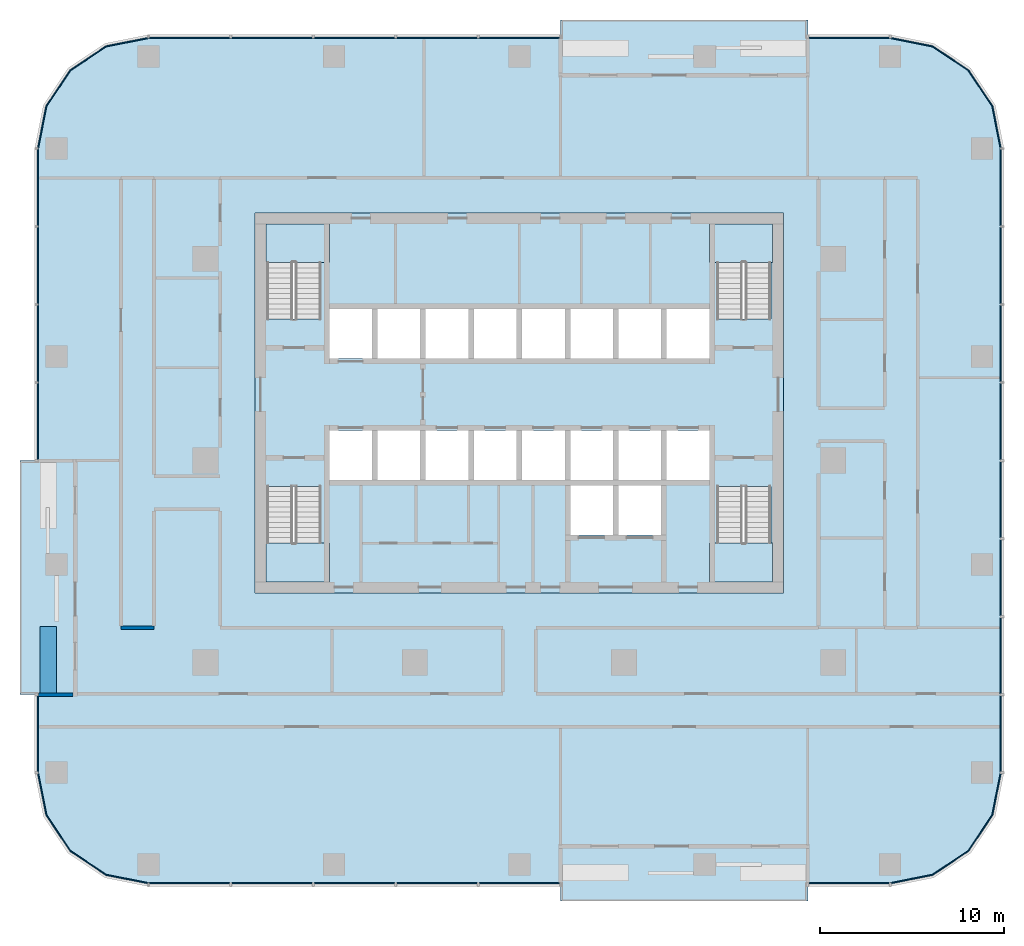
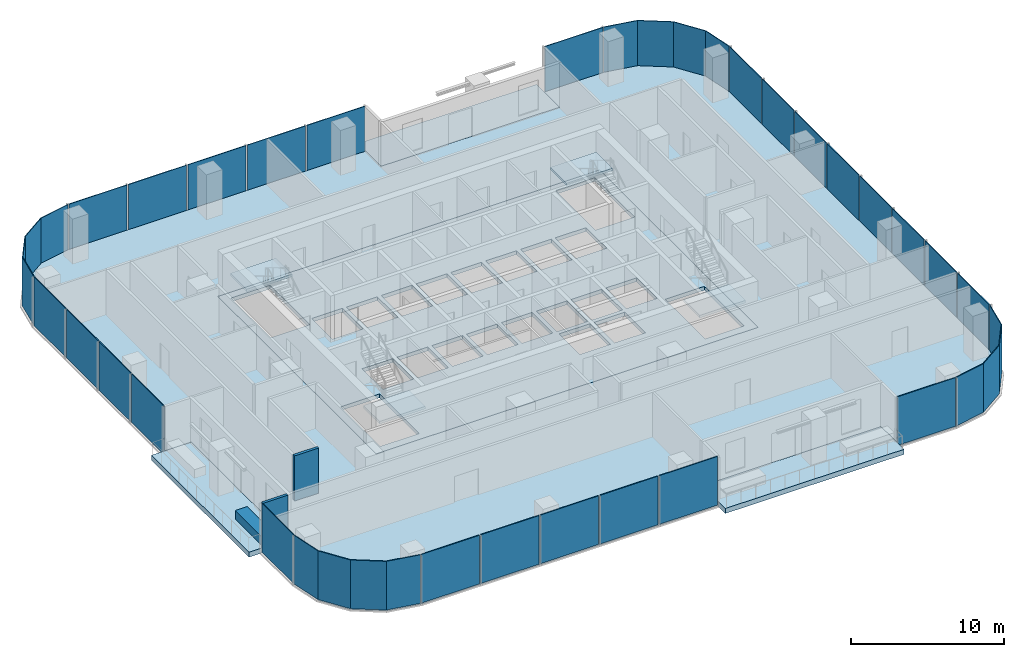
# One storey, part 6 of 14: 29 plates, 9 slabs, 3 walls, 15 elements without a shape of their own.
"""IFC4 building model written with IfcOpenShell, lengths in metres."""

from ifc_helpers import new_model, si_unit, direction, frame, frame_2d, origin, origin_2d, place, context, subcontext, project, spatial, polyline, rectangle, outline, extrude, material, layer, layer_set, type_object, element, aggregate, save


model = new_model("IFC4")

# Units and contexts
model_context = context("Model", 3, precision=1e-05, world=origin(), true_north=direction((0.0, 1.0)))
body_context = subcontext(model_context, "Body", "Model", "MODEL_VIEW")
ifc_project = project(units=[si_unit("LENGTHUNIT", "METRE"), si_unit("AREAUNIT", "SQUARE_METRE"), si_unit("VOLUMEUNIT", "CUBIC_METRE"), si_unit("PLANEANGLEUNIT", "RADIAN"), si_unit("MASSUNIT", "GRAM", prefix="KILO")], contexts=[model_context])

# Site, building, storey
site_placement = place(None, origin())
site = spatial("IfcSite", under=ifc_project, at=site_placement, CompositionType="ELEMENT")
building_placement = place(site_placement, origin())
building = spatial("IfcBuilding", under=site, at=building_placement, Name="Mopane Tessera Tower", CompositionType="ELEMENT")
storey_placement = place(building_placement, frame((0.0, 0.0, 189.0)))
storey = spatial("IfcBuildingStorey", under=building, at=storey_placement, Name="L39", CompositionType="ELEMENT", Elevation=189.0)

# Slab
ifc_material_1 = material(Name="Concrete C40/50", Category="concrete")
ifc_layer_1 = layer(ifc_material_1, 0.300048828125)
ifc_layer_set_1 = layer_set([ifc_layer_1], Name="Concrete C40/50")
slab_type_1 = type_object("IfcSlabType", Name="Core floor slab 300 mm", PredefinedType="FLOOR", material=ifc_layer_set_1)
slab_1_placement = place(storey_placement, frame((0.0, 0.0, -0.300048828125)))
element("IfcSlab", 1, at=slab_1_placement, inside=storey, type_object=slab_type_1, Name="L39 core floor slab", PredefinedType="FLOOR", context=body_context, shape_type="SweptSolid", body=[
    extrude(outline(polyline([(-14.39990234375, -7.199951171875), (14.39990234375, -7.199951171875), (14.39990234375, 13.5), (-14.39990234375, 13.5), (-14.39990234375, -7.199951171875)]), holes=[polyline([(-10.35009765625, -1.050048828125), (-8.02490234375, -1.050048828125), (-8.02490234375, 1.64990234375), (-10.35009765625, 1.64990234375), (-10.35009765625, -1.050048828125)]), polyline([(-7.72509765625, -1.050048828125), (-5.39990234375, -1.050048828125), (-5.39990234375, 1.64990234375), (-7.72509765625, 1.64990234375), (-7.72509765625, -1.050048828125)]), polyline([(-5.10009765625, -1.050048828125), (-2.77490234375, -1.050048828125), (-2.77490234375, 1.64990234375), (-5.10009765625, 1.64990234375), (-5.10009765625, -1.050048828125)]), polyline([(-2.47509765625, -1.050048828125), (-0.14990234375, -1.050048828125), (-0.14990234375, 1.64990234375), (-2.47509765625, 1.64990234375), (-2.47509765625, -1.050048828125)]), polyline([(0.14990234375, -1.050048828125), (2.47509765625, -1.050048828125), (2.47509765625, 1.64990234375), (0.14990234375, 1.64990234375), (0.14990234375, -1.050048828125)]), polyline([(2.77490234375, -1.050048828125), (5.10009765625, -1.050048828125), (5.10009765625, 1.64990234375), (2.77490234375, 1.64990234375), (2.77490234375, -1.050048828125)]), polyline([(5.39990234375, -1.050048828125), (7.72509765625, -1.050048828125), (7.72509765625, 1.64990234375), (5.39990234375, 1.64990234375), (5.39990234375, -1.050048828125)]), polyline([(8.02490234375, -1.050048828125), (10.35009765625, -1.050048828125), (10.35009765625, 1.64990234375), (8.02490234375, 1.64990234375), (8.02490234375, -1.050048828125)]), polyline([(-10.35009765625, 5.550048828125), (-8.02490234375, 5.550048828125), (-8.02490234375, 8.25), (-10.35009765625, 8.25), (-10.35009765625, 5.550048828125)]), polyline([(-7.72509765625, 5.550048828125), (-5.39990234375, 5.550048828125), (-5.39990234375, 8.25), (-7.72509765625, 8.25), (-7.72509765625, 5.550048828125)]), polyline([(-5.10009765625, 5.550048828125), (-2.77490234375, 5.550048828125), (-2.77490234375, 8.25), (-5.10009765625, 8.25), (-5.10009765625, 5.550048828125)]), polyline([(-2.47509765625, 5.550048828125), (-0.14990234375, 5.550048828125), (-0.14990234375, 8.25), (-2.47509765625, 8.25), (-2.47509765625, 5.550048828125)]), polyline([(0.14990234375, 5.550048828125), (2.47509765625, 5.550048828125), (2.47509765625, 8.25), (0.14990234375, 8.25), (0.14990234375, 5.550048828125)]), polyline([(2.77490234375, 5.550048828125), (5.10009765625, 5.550048828125), (5.10009765625, 8.25), (2.77490234375, 8.25), (2.77490234375, 5.550048828125)]), polyline([(5.39990234375, 5.550048828125), (7.72509765625, 5.550048828125), (7.72509765625, 8.25), (5.39990234375, 8.25), (5.39990234375, 5.550048828125)]), polyline([(8.02490234375, 5.550048828125), (10.35009765625, 5.550048828125), (10.35009765625, 8.25), (8.02490234375, 8.25), (8.02490234375, 5.550048828125)]), polyline([(2.77490234375, -4.050048828125), (5.10009765625, -4.050048828125), (5.10009765625, -1.35009765625), (2.77490234375, -1.35009765625), (2.77490234375, -4.050048828125)]), polyline([(5.39990234375, -4.050048828125), (7.72509765625, -4.050048828125), (7.72509765625, -1.35009765625), (5.39990234375, -1.35009765625), (5.39990234375, -4.050048828125)]), polyline([(-13.75, -1.405029296875), (-13.75, -6.60009765625), (-10.800048828125, -6.60009765625), (-10.800048828125, -1.405029296875), (-13.75, -1.405029296875)]), polyline([(-10.800048828125, 7.705078125), (-10.800048828125, 12.89990234375), (-13.75, 12.89990234375), (-13.75, 7.705078125), (-10.800048828125, 7.705078125)]), polyline([(10.75, -1.405029296875), (10.75, -6.60009765625), (13.699951171875, -6.60009765625), (13.699951171875, -1.405029296875), (10.75, -1.405029296875)]), polyline([(13.699951171875, 7.705078125), (13.699951171875, 12.89990234375), (10.75, 12.89990234375), (10.75, 7.705078125), (13.699951171875, 7.705078125)])]), origin(), (0.0, 0.0, 1.0), 0.300048828125),
])

# Stair, slab
ifc_material_2 = material(Name="Concrete C50/60", Category="concrete")
stair_type = type_object("IfcStairType", Name="Escape stair 1400 mm, riser 167 mm", PredefinedType="HALF_TURN_STAIR", material=ifc_material_2)
stair_1_placement = place(storey_placement, origin())
stair_1 = element("IfcStair", 2, at=stair_1_placement, inside=storey, type_object=stair_type, Name="L39 Escape stair south-west", PredefinedType="HALF_TURN_STAIR")
ifc_material_3 = material(Name="Concrete C50/60", Category="concrete")
ifc_layer_2 = layer(ifc_material_3, 0.199951171875)
ifc_layer_set_2 = layer_set([ifc_layer_2], Name="Concrete C50/60")
slab_type_2 = type_object("IfcSlabType", Name="Escape stair landing 200 mm", PredefinedType="LANDING", material=ifc_layer_set_2)
slab_2_placement = place(storey_placement, frame((0.0, 0.0, 1.800048828125)))
slab_2 = element("IfcSlab", 3, at=slab_2_placement, type_object=slab_type_2, Name="ST1 landing 1", PredefinedType="LANDING", context=body_context, shape_type="SweptSolid", body=[
    extrude(outline(polyline([(-13.800048828125, -4.47998046875), (-13.800048828125, -6.60009765625), (-10.35009765625, -6.60009765625), (-10.35009765625, -4.47998046875), (-13.800048828125, -4.47998046875)])), origin(), (0.0, 0.0, 1.0), 0.199951171875),
])
aggregate(stair_1, [slab_2])

stair_2_placement = place(storey_placement, origin())
stair_2 = element("IfcStair", 4, at=stair_2_placement, inside=storey, type_object=stair_type, Name="L39 Escape stair north-west", PredefinedType="HALF_TURN_STAIR")
slab_3_placement = place(storey_placement, frame((0.0, 0.0, 1.800048828125)))
slab_3 = element("IfcSlab", 5, at=slab_3_placement, type_object=slab_type_2, Name="ST2 landing 1", PredefinedType="LANDING", context=body_context, shape_type="SweptSolid", body=[
    extrude(outline(polyline([(-10.35009765625, 10.780029296875), (-10.35009765625, 12.89990234375), (-13.800048828125, 12.89990234375), (-13.800048828125, 10.780029296875), (-10.35009765625, 10.780029296875)])), origin(), (0.0, 0.0, 1.0), 0.199951171875),
])
aggregate(stair_2, [slab_3])

stair_3_placement = place(storey_placement, origin())
stair_3 = element("IfcStair", 6, at=stair_3_placement, inside=storey, type_object=stair_type, Name="L39 Escape stair south-east", PredefinedType="HALF_TURN_STAIR")
slab_4_placement = place(storey_placement, frame((0.0, 0.0, 1.800048828125)))
slab_4 = element("IfcSlab", 7, at=slab_4_placement, type_object=slab_type_2, Name="ST3 landing 1", PredefinedType="LANDING", context=body_context, shape_type="SweptSolid", body=[
    extrude(outline(polyline([(10.35009765625, -4.47998046875), (10.35009765625, -6.60009765625), (13.800048828125, -6.60009765625), (13.800048828125, -4.47998046875), (10.35009765625, -4.47998046875)])), origin(), (0.0, 0.0, 1.0), 0.199951171875),
])
aggregate(stair_3, [slab_4])

stair_4_placement = place(storey_placement, origin())
stair_4 = element("IfcStair", 8, at=stair_4_placement, inside=storey, type_object=stair_type, Name="L39 Escape stair north-east", PredefinedType="HALF_TURN_STAIR")
slab_5_placement = place(storey_placement, frame((0.0, 0.0, 1.800048828125)))
slab_5 = element("IfcSlab", 9, at=slab_5_placement, type_object=slab_type_2, Name="ST4 landing 1", PredefinedType="LANDING", context=body_context, shape_type="SweptSolid", body=[
    extrude(outline(polyline([(13.800048828125, 10.780029296875), (13.800048828125, 12.89990234375), (10.35009765625, 12.89990234375), (10.35009765625, 10.780029296875), (13.800048828125, 10.780029296875)])), origin(), (0.0, 0.0, 1.0), 0.199951171875),
])
aggregate(stair_4, [slab_5])

# Slabs
ifc_material_4 = material(Name="Concrete C40/50", Category="concrete")
ifc_layer_3 = layer(ifc_material_4, 0.39990234375)
ifc_layer_set_3 = layer_set([ifc_layer_3], Name="Concrete C40/50")
slab_type_3 = type_object("IfcSlabType", Name="Planted terrace slab 400 mm", PredefinedType="FLOOR", material=ifc_layer_set_3)
slab_6_placement = place(storey_placement, frame((0.0, 0.0, -0.39990234375)))
element("IfcSlab", 10, at=slab_6_placement, inside=storey, type_object=slab_type_3, Name="Terrace slab N1 L39", PredefinedType="FLOOR", context=body_context, shape_type="SweptSolid", body=[
    extrude(outline(polyline([(-27.199951171875, -12.75), (-24.199951171875, -12.75), (-24.199951171875, 0.0), (-27.199951171875, 0.0), (-27.199951171875, -12.75)])), origin(), (0.0, 0.0, 1.0), 0.39990234375),
])
slab_7_placement = place(storey_placement, frame((0.0, 0.0, -0.39990234375)))
element("IfcSlab", 11, at=slab_7_placement, inside=storey, type_object=slab_type_3, Name="Terrace slab N2 L39", PredefinedType="FLOOR", context=body_context, shape_type="SweptSolid", body=[
    extrude(outline(polyline([(15.711181640625, -24.0), (15.711181640625, -21.0), (2.244384765625, -21.0), (2.244384765625, -24.0), (15.711181640625, -24.0)])), origin(), (0.0, 0.0, 1.0), 0.39990234375),
])
slab_8_placement = place(storey_placement, frame((0.0, 0.0, -0.39990234375)))
element("IfcSlab", 12, at=slab_8_placement, inside=storey, type_object=slab_type_3, Name="Terrace slab N3 L39", PredefinedType="FLOOR", context=body_context, shape_type="SweptSolid", body=[
    extrude(outline(polyline([(2.244384765625, 24.0), (2.244384765625, 21.0), (15.711181640625, 21.0), (15.711181640625, 24.0), (2.244384765625, 24.0)])), origin(), (0.0, 0.0, 1.0), 0.39990234375),
])
ifc_material_5 = material(Name="Concrete C40/50", Category="concrete")
ifc_layer_4 = layer(ifc_material_5, 0.39990234375)
ifc_layer_set_4 = layer_set([ifc_layer_4], Name="Concrete C40/50")
slab_type_4 = type_object("IfcSlabType", Name="Post-tensioned flat plate 400 mm", PredefinedType="FLOOR", material=ifc_layer_set_4)
slab_9_placement = place(storey_placement, frame((0.0, 0.0, -0.39990234375)))
element("IfcSlab", 13, at=slab_9_placement, inside=storey, type_object=slab_type_4, Name="Floor slab L39", PredefinedType="FLOOR", context=body_context, shape_type="SweptSolid", body=[
    extrude(outline(polyline([(-20.199951171875, -23.0), (2.244384765625, -23.0), (2.244384765625, -21.0), (15.711181640625, -21.0), (15.711181640625, -23.0), (20.199951171875, -23.0), (22.49609375, -22.543212890625), (24.442626953125, -21.24267578125), (25.7431640625, -19.296142578125), (26.199951171875, -17.0), (26.199951171875, 17.0), (25.7431640625, 19.296142578125), (24.442626953125, 21.24267578125), (22.49609375, 22.543212890625), (20.199951171875, 23.0), (15.711181640625, 23.0), (15.711181640625, 21.0), (2.244384765625, 21.0), (2.244384765625, 23.0), (-20.199951171875, 23.0), (-22.49609375, 22.543212890625), (-24.442626953125, 21.24267578125), (-25.7431640625, 19.296142578125), (-26.199951171875, 17.0), (-26.199951171875, 0.0), (-24.199951171875, 0.0), (-24.199951171875, -12.75), (-26.199951171875, -12.75), (-26.199951171875, -17.0), (-25.7431640625, -19.296142578125), (-24.442626953125, -21.24267578125), (-22.49609375, -22.543212890625), (-20.199951171875, -23.0)]), holes=[polyline([(14.39990234375, -7.199951171875), (-14.39990234375, -7.199951171875), (-14.39990234375, 13.5), (14.39990234375, 13.5), (14.39990234375, -7.199951171875)])]), origin(), (0.0, 0.0, 1.0), 0.39990234375),
])

# Curtain wall, plates
ifc_material_6 = material(Name="Aluminium frame", Category="aluminium")
curtain_wall_type = type_object("IfcCurtainWallType", Name="Unitised curtain wall", PredefinedType="NOTDEFINED", material=ifc_material_6)
curtain_wall_1_placement = place(storey_placement, origin())
curtain_wall_1 = element("IfcCurtainWall", 14, at=curtain_wall_1_placement, inside=storey, type_object=curtain_wall_type, Name="e:cw:L39:S:0", PredefinedType="NOTDEFINED")
ifc_material_7 = material(Name="Clear laminated glass", Category="glass")
ifc_layer_5 = layer(ifc_material_7, 0.06005859375)
ifc_layer_set_5 = layer_set([ifc_layer_5], Name="Clear laminated glass")
plate_type = type_object("IfcPlateType", Name="Unitised glazed unit", PredefinedType="CURTAIN_PANEL", material=ifc_layer_set_5)
plate_1_placement = place(storey_placement, frame((-17.95556640625, -23.030029296875, -0.280029296875), z_axis=(0.0, 0.0, 1.0), x_axis=(1.0, 0.0, 0.0)))
plate_1 = element("IfcPlate", 15, at=plate_1_placement, type_object=plate_type, Name="e:cw:L39:S:0:pn0", PredefinedType="CURTAIN_PANEL", context=body_context, shape_type="SweptSolid", body=[
    extrude(rectangle(XDim=4.388916015625, YDim=0.06005859375, at=origin_2d()), origin(), (0.0, 0.0, 1.0), 3.8798828125),
])
plate_2_placement = place(storey_placement, frame((-13.466552734375, -23.030029296875, -0.280029296875), z_axis=(0.0, 0.0, 1.0), x_axis=(1.0, 0.0, 0.0)))
plate_2 = element("IfcPlate", 16, at=plate_2_placement, type_object=plate_type, Name="e:cw:L39:S:0:pn1", PredefinedType="CURTAIN_PANEL", context=body_context, shape_type="SweptSolid", body=[
    extrude(rectangle(XDim=4.388916015625, YDim=0.06005859375, at=origin_2d()), origin(), (0.0, 0.0, 1.0), 3.8798828125),
])
plate_3_placement = place(storey_placement, frame((-8.977783203125, -23.030029296875, -0.280029296875), z_axis=(0.0, 0.0, 1.0), x_axis=(1.0, 0.0, 0.0)))
plate_3 = element("IfcPlate", 17, at=plate_3_placement, type_object=plate_type, Name="e:cw:L39:S:0:pn2", PredefinedType="CURTAIN_PANEL", context=body_context, shape_type="SweptSolid", body=[
    extrude(rectangle(XDim=4.388916015625, YDim=0.06005859375, at=origin_2d()), origin(), (0.0, 0.0, 1.0), 3.8798828125),
])
plate_4_placement = place(storey_placement, frame((-4.48876953125, -23.030029296875, -0.280029296875), z_axis=(0.0, 0.0, 1.0), x_axis=(1.0, 0.0, 0.0)))
plate_4 = element("IfcPlate", 18, at=plate_4_placement, type_object=plate_type, Name="e:cw:L39:S:0:pn3", PredefinedType="CURTAIN_PANEL", context=body_context, shape_type="SweptSolid", body=[
    extrude(rectangle(XDim=4.388916015625, YDim=0.06005859375, at=origin_2d()), origin(), (0.0, 0.0, 1.0), 3.8798828125),
])
plate_5_placement = place(storey_placement, frame((0.0, -23.030029296875, -0.280029296875), z_axis=(0.0, 0.0, 1.0), x_axis=(1.0, 0.0, 0.0)))
plate_5 = element("IfcPlate", 19, at=plate_5_placement, type_object=plate_type, Name="e:cw:L39:S:0:pn4", PredefinedType="CURTAIN_PANEL", context=body_context, shape_type="SweptSolid", body=[
    extrude(rectangle(XDim=4.388916015625, YDim=0.06005859375, at=origin_2d()), origin(), (0.0, 0.0, 1.0), 3.8798828125),
])
aggregate(curtain_wall_1, [plate_1, plate_2, plate_3, plate_4, plate_5])

# Curtain wall, plate
curtain_wall_2_placement = place(storey_placement, origin())
curtain_wall_2 = element("IfcCurtainWall", 20, at=curtain_wall_2_placement, inside=storey, type_object=curtain_wall_type, Name="e:cw:L39:S:8", PredefinedType="NOTDEFINED")
plate_6_placement = place(storey_placement, frame((17.95556640625, -23.030029296875, -0.280029296875), z_axis=(0.0, 0.0, 1.0), x_axis=(1.0, 0.0, 0.0)))
plate_6 = element("IfcPlate", 21, at=plate_6_placement, type_object=plate_type, Name="e:cw:L39:S:8:pn8", PredefinedType="CURTAIN_PANEL", context=body_context, shape_type="SweptSolid", body=[
    extrude(rectangle(XDim=4.388916015625, YDim=0.06005859375, at=origin_2d()), origin(), (0.0, 0.0, 1.0), 3.8798828125),
])
aggregate(curtain_wall_2, [plate_6])

curtain_wall_3_placement = place(storey_placement, origin())
curtain_wall_3 = element("IfcCurtainWall", 22, at=curtain_wall_3_placement, inside=storey, type_object=curtain_wall_type, Name="e:cw:L39:CS", PredefinedType="NOTDEFINED")
plate_7_placement = place(storey_placement, frame((0.0, 0.0, -0.280029296875)))
plate_7 = element("IfcPlate", 23, at=plate_7_placement, type_object=plate_type, Name="e:cw:L39:CS:pn", PredefinedType="CURTAIN_PANEL", context=body_context, shape_type="SweptSolid", body=[
    extrude(outline(polyline([(20.199951171875, -23.0), (22.49609375, -22.543212890625), (24.442626953125, -21.24267578125), (25.7431640625, -19.296142578125), (26.199951171875, -17.0), (26.260009765625, -17.0), (25.798828125, -19.319091796875), (24.485107421875, -21.28515625), (22.51904296875, -22.5986328125), (20.199951171875, -23.06005859375), (20.199951171875, -23.0)])), origin(), (0.0, 0.0, 1.0), 3.880126953125),
])
aggregate(curtain_wall_3, [plate_7])

# Curtain wall, plates
curtain_wall_4_placement = place(storey_placement, origin())
curtain_wall_4 = element("IfcCurtainWall", 24, at=curtain_wall_4_placement, inside=storey, type_object=curtain_wall_type, Name="e:cw:L39:E:0", PredefinedType="NOTDEFINED")
plate_8_placement = place(storey_placement, frame((26.22998046875, -14.875, -0.280029296875), z_axis=(0.0, 0.0, 1.0), x_axis=(0.0, 1.0, 0.0)))
plate_8 = element("IfcPlate", 25, at=plate_8_placement, type_object=plate_type, Name="e:cw:L39:E:0:pn0", PredefinedType="CURTAIN_PANEL", context=body_context, shape_type="SweptSolid", body=[
    extrude(rectangle(XDim=4.14990234375, YDim=0.06005859375, at=origin_2d()), origin(), (0.0, 0.0, 1.0), 3.8798828125),
])
plate_9_placement = place(storey_placement, frame((26.22998046875, -10.625, -0.280029296875), z_axis=(0.0, 0.0, 1.0), x_axis=(0.0, 1.0, 0.0)))
plate_9 = element("IfcPlate", 26, at=plate_9_placement, type_object=plate_type, Name="e:cw:L39:E:0:pn1", PredefinedType="CURTAIN_PANEL", context=body_context, shape_type="SweptSolid", body=[
    extrude(rectangle(XDim=4.14990234375, YDim=0.06005859375, at=origin_2d()), origin(), (0.0, 0.0, 1.0), 3.8798828125),
])
plate_10_placement = place(storey_placement, frame((26.22998046875, -6.375, -0.280029296875), z_axis=(0.0, 0.0, 1.0), x_axis=(0.0, 1.0, 0.0)))
plate_10 = element("IfcPlate", 27, at=plate_10_placement, type_object=plate_type, Name="e:cw:L39:E:0:pn2", PredefinedType="CURTAIN_PANEL", context=body_context, shape_type="SweptSolid", body=[
    extrude(rectangle(XDim=4.14990234375, YDim=0.06005859375, at=origin_2d()), origin(), (0.0, 0.0, 1.0), 3.8798828125),
])
plate_11_placement = place(storey_placement, frame((26.22998046875, -2.125, -0.280029296875), z_axis=(0.0, 0.0, 1.0), x_axis=(0.0, 1.0, 0.0)))
plate_11 = element("IfcPlate", 28, at=plate_11_placement, type_object=plate_type, Name="e:cw:L39:E:0:pn3", PredefinedType="CURTAIN_PANEL", context=body_context, shape_type="SweptSolid", body=[
    extrude(rectangle(XDim=4.14990234375, YDim=0.06005859375, at=origin_2d()), origin(), (0.0, 0.0, 1.0), 3.8798828125),
])
plate_12_placement = place(storey_placement, frame((26.22998046875, 2.125, -0.280029296875), z_axis=(0.0, 0.0, 1.0), x_axis=(0.0, 1.0, 0.0)))
plate_12 = element("IfcPlate", 29, at=plate_12_placement, type_object=plate_type, Name="e:cw:L39:E:0:pn4", PredefinedType="CURTAIN_PANEL", context=body_context, shape_type="SweptSolid", body=[
    extrude(rectangle(XDim=4.14990234375, YDim=0.06005859375, at=origin_2d()), origin(), (0.0, 0.0, 1.0), 3.8798828125),
])
plate_13_placement = place(storey_placement, frame((26.22998046875, 6.375, -0.280029296875), z_axis=(0.0, 0.0, 1.0), x_axis=(0.0, 1.0, 0.0)))
plate_13 = element("IfcPlate", 30, at=plate_13_placement, type_object=plate_type, Name="e:cw:L39:E:0:pn5", PredefinedType="CURTAIN_PANEL", context=body_context, shape_type="SweptSolid", body=[
    extrude(rectangle(XDim=4.14990234375, YDim=0.06005859375, at=origin_2d()), origin(), (0.0, 0.0, 1.0), 3.8798828125),
])
plate_14_placement = place(storey_placement, frame((26.22998046875, 10.625, -0.280029296875), z_axis=(0.0, 0.0, 1.0), x_axis=(0.0, 1.0, 0.0)))
plate_14 = element("IfcPlate", 31, at=plate_14_placement, type_object=plate_type, Name="e:cw:L39:E:0:pn6", PredefinedType="CURTAIN_PANEL", context=body_context, shape_type="SweptSolid", body=[
    extrude(rectangle(XDim=4.14990234375, YDim=0.06005859375, at=origin_2d()), origin(), (0.0, 0.0, 1.0), 3.8798828125),
])
plate_15_placement = place(storey_placement, frame((26.22998046875, 14.875, -0.280029296875), z_axis=(0.0, 0.0, 1.0), x_axis=(0.0, 1.0, 0.0)))
plate_15 = element("IfcPlate", 32, at=plate_15_placement, type_object=plate_type, Name="e:cw:L39:E:0:pn7", PredefinedType="CURTAIN_PANEL", context=body_context, shape_type="SweptSolid", body=[
    extrude(rectangle(XDim=4.14990234375, YDim=0.06005859375, at=origin_2d()), origin(), (0.0, 0.0, 1.0), 3.8798828125),
])
aggregate(curtain_wall_4, [plate_8, plate_9, plate_10, plate_11, plate_12, plate_13, plate_14, plate_15])

# Curtain wall, plate
curtain_wall_5_placement = place(storey_placement, origin())
curtain_wall_5 = element("IfcCurtainWall", 33, at=curtain_wall_5_placement, inside=storey, type_object=curtain_wall_type, Name="e:cw:L39:CE", PredefinedType="NOTDEFINED")
plate_16_placement = place(storey_placement, frame((0.0, 0.0, -0.280029296875)))
plate_16 = element("IfcPlate", 34, at=plate_16_placement, type_object=plate_type, Name="e:cw:L39:CE:pn", PredefinedType="CURTAIN_PANEL", context=body_context, shape_type="SweptSolid", body=[
    extrude(outline(polyline([(26.199951171875, 17.0), (25.7431640625, 19.296142578125), (24.442626953125, 21.24267578125), (22.49609375, 22.543212890625), (20.199951171875, 23.0), (20.199951171875, 23.06005859375), (22.51904296875, 22.5986328125), (24.485107421875, 21.28515625), (25.798828125, 19.319091796875), (26.260009765625, 17.0), (26.199951171875, 17.0)])), origin(), (0.0, 0.0, 1.0), 3.880126953125),
])
aggregate(curtain_wall_5, [plate_16])

curtain_wall_6_placement = place(storey_placement, origin())
curtain_wall_6 = element("IfcCurtainWall", 35, at=curtain_wall_6_placement, inside=storey, type_object=curtain_wall_type, Name="e:cw:L39:N:0", PredefinedType="NOTDEFINED")
plate_17_placement = place(storey_placement, frame((17.95556640625, 23.030029296875, -0.280029296875), z_axis=(0.0, 0.0, 1.0), x_axis=(-1.0, 0.0, 0.0)))
plate_17 = element("IfcPlate", 36, at=plate_17_placement, type_object=plate_type, Name="e:cw:L39:N:0:pn0", PredefinedType="CURTAIN_PANEL", context=body_context, shape_type="SweptSolid", body=[
    extrude(rectangle(XDim=4.388916015625, YDim=0.06005859375, at=origin_2d()), origin(), (0.0, 0.0, 1.0), 3.8798828125),
])
aggregate(curtain_wall_6, [plate_17])

# Curtain wall, plates
curtain_wall_7_placement = place(storey_placement, origin())
curtain_wall_7 = element("IfcCurtainWall", 37, at=curtain_wall_7_placement, inside=storey, type_object=curtain_wall_type, Name="e:cw:L39:N:4", PredefinedType="NOTDEFINED")
plate_18_placement = place(storey_placement, frame((0.0, 23.030029296875, -0.280029296875), z_axis=(0.0, 0.0, 1.0), x_axis=(-1.0, 0.0, 0.0)))
plate_18 = element("IfcPlate", 38, at=plate_18_placement, type_object=plate_type, Name="e:cw:L39:N:4:pn4", PredefinedType="CURTAIN_PANEL", context=body_context, shape_type="SweptSolid", body=[
    extrude(rectangle(XDim=4.388916015625, YDim=0.06005859375, at=origin_2d()), origin(), (0.0, 0.0, 1.0), 3.8798828125),
])
plate_19_placement = place(storey_placement, frame((-4.48876953125, 23.030029296875, -0.280029296875), z_axis=(0.0, 0.0, 1.0), x_axis=(-1.0, 0.0, 0.0)))
plate_19 = element("IfcPlate", 39, at=plate_19_placement, type_object=plate_type, Name="e:cw:L39:N:4:pn5", PredefinedType="CURTAIN_PANEL", context=body_context, shape_type="SweptSolid", body=[
    extrude(rectangle(XDim=4.388916015625, YDim=0.06005859375, at=origin_2d()), origin(), (0.0, 0.0, 1.0), 3.8798828125),
])
plate_20_placement = place(storey_placement, frame((-8.977783203125, 23.030029296875, -0.280029296875), z_axis=(0.0, 0.0, 1.0), x_axis=(-1.0, 0.0, 0.0)))
plate_20 = element("IfcPlate", 40, at=plate_20_placement, type_object=plate_type, Name="e:cw:L39:N:4:pn6", PredefinedType="CURTAIN_PANEL", context=body_context, shape_type="SweptSolid", body=[
    extrude(rectangle(XDim=4.388916015625, YDim=0.06005859375, at=origin_2d()), origin(), (0.0, 0.0, 1.0), 3.8798828125),
])
plate_21_placement = place(storey_placement, frame((-13.466552734375, 23.030029296875, -0.280029296875), z_axis=(0.0, 0.0, 1.0), x_axis=(-1.0, 0.0, 0.0)))
plate_21 = element("IfcPlate", 41, at=plate_21_placement, type_object=plate_type, Name="e:cw:L39:N:4:pn7", PredefinedType="CURTAIN_PANEL", context=body_context, shape_type="SweptSolid", body=[
    extrude(rectangle(XDim=4.388916015625, YDim=0.06005859375, at=origin_2d()), origin(), (0.0, 0.0, 1.0), 3.8798828125),
])
plate_22_placement = place(storey_placement, frame((-17.95556640625, 23.030029296875, -0.280029296875), z_axis=(0.0, 0.0, 1.0), x_axis=(-1.0, 0.0, 0.0)))
plate_22 = element("IfcPlate", 42, at=plate_22_placement, type_object=plate_type, Name="e:cw:L39:N:4:pn8", PredefinedType="CURTAIN_PANEL", context=body_context, shape_type="SweptSolid", body=[
    extrude(rectangle(XDim=4.388916015625, YDim=0.06005859375, at=origin_2d()), origin(), (0.0, 0.0, 1.0), 3.8798828125),
])
aggregate(curtain_wall_7, [plate_18, plate_19, plate_20, plate_21, plate_22])

# Curtain wall, plate
curtain_wall_8_placement = place(storey_placement, origin())
curtain_wall_8 = element("IfcCurtainWall", 43, at=curtain_wall_8_placement, inside=storey, type_object=curtain_wall_type, Name="e:cw:L39:CN", PredefinedType="NOTDEFINED")
plate_23_placement = place(storey_placement, frame((0.0, 0.0, -0.280029296875)))
plate_23 = element("IfcPlate", 44, at=plate_23_placement, type_object=plate_type, Name="e:cw:L39:CN:pn", PredefinedType="CURTAIN_PANEL", context=body_context, shape_type="SweptSolid", body=[
    extrude(outline(polyline([(-20.199951171875, 23.0), (-22.49609375, 22.543212890625), (-24.442626953125, 21.24267578125), (-25.7431640625, 19.296142578125), (-26.199951171875, 17.0), (-26.260009765625, 17.0), (-25.798828125, 19.319091796875), (-24.485107421875, 21.28515625), (-22.51904296875, 22.5986328125), (-20.199951171875, 23.06005859375), (-20.199951171875, 23.0)])), origin(), (0.0, 0.0, 1.0), 3.880126953125),
])
aggregate(curtain_wall_8, [plate_23])

# Curtain wall, plates
curtain_wall_9_placement = place(storey_placement, origin())
curtain_wall_9 = element("IfcCurtainWall", 45, at=curtain_wall_9_placement, inside=storey, type_object=curtain_wall_type, Name="e:cw:L39:W:0", PredefinedType="NOTDEFINED")
plate_24_placement = place(storey_placement, frame((-26.22998046875, 14.875, -0.280029296875), z_axis=(0.0, 0.0, 1.0), x_axis=(0.0, -1.0, 0.0)))
plate_24 = element("IfcPlate", 46, at=plate_24_placement, type_object=plate_type, Name="e:cw:L39:W:0:pn0", PredefinedType="CURTAIN_PANEL", context=body_context, shape_type="SweptSolid", body=[
    extrude(rectangle(XDim=4.14990234375, YDim=0.06005859375, at=origin_2d()), origin(), (0.0, 0.0, 1.0), 3.8798828125),
])
plate_25_placement = place(storey_placement, frame((-26.22998046875, 10.625, -0.280029296875), z_axis=(0.0, 0.0, 1.0), x_axis=(0.0, -1.0, 0.0)))
plate_25 = element("IfcPlate", 47, at=plate_25_placement, type_object=plate_type, Name="e:cw:L39:W:0:pn1", PredefinedType="CURTAIN_PANEL", context=body_context, shape_type="SweptSolid", body=[
    extrude(rectangle(XDim=4.14990234375, YDim=0.06005859375, at=origin_2d()), origin(), (0.0, 0.0, 1.0), 3.8798828125),
])
plate_26_placement = place(storey_placement, frame((-26.22998046875, 6.375, -0.280029296875), z_axis=(0.0, 0.0, 1.0), x_axis=(0.0, -1.0, 0.0)))
plate_26 = element("IfcPlate", 48, at=plate_26_placement, type_object=plate_type, Name="e:cw:L39:W:0:pn2", PredefinedType="CURTAIN_PANEL", context=body_context, shape_type="SweptSolid", body=[
    extrude(rectangle(XDim=4.14990234375, YDim=0.06005859375, at=origin_2d()), origin(), (0.0, 0.0, 1.0), 3.8798828125),
])
plate_27_placement = place(storey_placement, frame((-26.22998046875, 2.125, -0.280029296875), z_axis=(0.0, 0.0, 1.0), x_axis=(0.0, -1.0, 0.0)))
plate_27 = element("IfcPlate", 49, at=plate_27_placement, type_object=plate_type, Name="e:cw:L39:W:0:pn3", PredefinedType="CURTAIN_PANEL", context=body_context, shape_type="SweptSolid", body=[
    extrude(rectangle(XDim=4.14990234375, YDim=0.06005859375, at=origin_2d()), origin(), (0.0, 0.0, 1.0), 3.8798828125),
])
aggregate(curtain_wall_9, [plate_24, plate_25, plate_26, plate_27])

# Curtain wall, plate
curtain_wall_10_placement = place(storey_placement, origin())
curtain_wall_10 = element("IfcCurtainWall", 50, at=curtain_wall_10_placement, inside=storey, type_object=curtain_wall_type, Name="e:cw:L39:W:7", PredefinedType="NOTDEFINED")
plate_28_placement = place(storey_placement, frame((-26.22998046875, -14.875, -0.280029296875), z_axis=(0.0, 0.0, 1.0), x_axis=(0.0, -1.0, 0.0)))
plate_28 = element("IfcPlate", 51, at=plate_28_placement, type_object=plate_type, Name="e:cw:L39:W:7:pn7", PredefinedType="CURTAIN_PANEL", context=body_context, shape_type="SweptSolid", body=[
    extrude(rectangle(XDim=4.14990234375, YDim=0.06005859375, at=origin_2d()), origin(), (0.0, 0.0, 1.0), 3.8798828125),
])
aggregate(curtain_wall_10, [plate_28])

curtain_wall_11_placement = place(storey_placement, origin())
curtain_wall_11 = element("IfcCurtainWall", 52, at=curtain_wall_11_placement, inside=storey, type_object=curtain_wall_type, Name="e:cw:L39:CW", PredefinedType="NOTDEFINED")
plate_29_placement = place(storey_placement, frame((0.0, 0.0, -0.280029296875)))
plate_29 = element("IfcPlate", 53, at=plate_29_placement, type_object=plate_type, Name="e:cw:L39:CW:pn", PredefinedType="CURTAIN_PANEL", context=body_context, shape_type="SweptSolid", body=[
    extrude(outline(polyline([(-26.199951171875, -17.0), (-25.7431640625, -19.296142578125), (-24.442626953125, -21.24267578125), (-22.49609375, -22.543212890625), (-20.199951171875, -23.0), (-20.199951171875, -23.06005859375), (-22.51904296875, -22.5986328125), (-24.485107421875, -21.28515625), (-25.798828125, -19.319091796875), (-26.260009765625, -17.0), (-26.199951171875, -17.0)])), origin(), (0.0, 0.0, 1.0), 3.880126953125),
])
aggregate(curtain_wall_11, [plate_29])

# Walls
ifc_material_8 = material(Name="Gypsum board on steel studs, two layers each face, mineral wool infill", Category="steel")
ifc_layer_6 = layer(ifc_material_8, 0.199951171875)
ifc_layer_set_6 = layer_set([ifc_layer_6], Name="Gypsum board on steel studs, two layers each face, mineral wool infill")
wall_type_1 = type_object("IfcWallType", Name="Gypsum board corridor wall 200, rated EI 60", PredefinedType="PARTITIONING", material=ifc_layer_set_6)
wall_1_placement = place(storey_placement, frame((-21.699951171875, -9.10009765625, 0.0), z_axis=(0.0, 0.0, 1.0), x_axis=(1.0, 0.0, 0.0)))
element("IfcWall", 54, at=wall_1_placement, inside=storey, type_object=wall_type_1, Name="Partition L39:005", PredefinedType="PARTITIONING", context=body_context, shape_type="SweptSolid", body=[
    extrude(rectangle(XDim=1.800048828125, YDim=0.199951171875, at=frame_2d((0.89990234375, 0.0))), origin(), (0.0, 0.0, 1.0), 3.60009765625),
])
ifc_material_9 = material(Name="Reinforced concrete C32/40 with waterproofing", Category="concrete")
ifc_layer_7 = layer(ifc_material_9, 0.89990234375)
ifc_layer_set_7 = layer_set([ifc_layer_7], Name="Reinforced concrete C32/40 with waterproofing")
wall_type_2 = type_object("IfcWallType", Name="Planter trough 3600 x 900", PredefinedType="STANDARD", material=ifc_layer_set_7)
wall_2_placement = place(storey_placement, frame((-25.64990234375, -9.050048828125, 0.0), z_axis=(0.0, 0.0, 1.0), x_axis=(0.0, -1.0, 0.0)))
element("IfcWall", 55, at=wall_2_placement, inside=storey, type_object=wall_type_2, Name="e:nw:L39:N1:pl1", PredefinedType="STANDARD", context=body_context, shape_type="SweptSolid", body=[
    extrude(rectangle(XDim=3.599853515625, YDim=0.89990234375, at=frame_2d((1.7998046875, 0.0))), origin(), (0.0, 0.0, 1.0), 0.699951171875),
])
ifc_material_10 = material(Name="Blockwork with glazed tile facing", Category="masonry")
ifc_layer_8 = layer(ifc_material_10, 0.199951171875)
ifc_layer_set_8 = layer_set([ifc_layer_8], Name="Blockwork with glazed tile facing")
wall_type_3 = type_object("IfcWallType", Name="Terrace cheek wall 200", PredefinedType="STANDARD", material=ifc_layer_set_8)
wall_3_placement = place(storey_placement, frame((-26.199951171875, -12.75, 0.0), z_axis=(0.0, 0.0, 1.0), x_axis=(1.0, 0.0, 0.0)))
element("IfcWall", 56, at=wall_3_placement, inside=storey, type_object=wall_type_3, Name="e:nw:L39:N1:cheekb", PredefinedType="STANDARD", context=body_context, shape_type="SweptSolid", body=[
    extrude(rectangle(XDim=1.875, YDim=0.199951171875, at=frame_2d((0.9375, 0.0))), origin(), (0.0, 0.0, 1.0), 3.60009765625),
])

save(model, "model.ifc")
